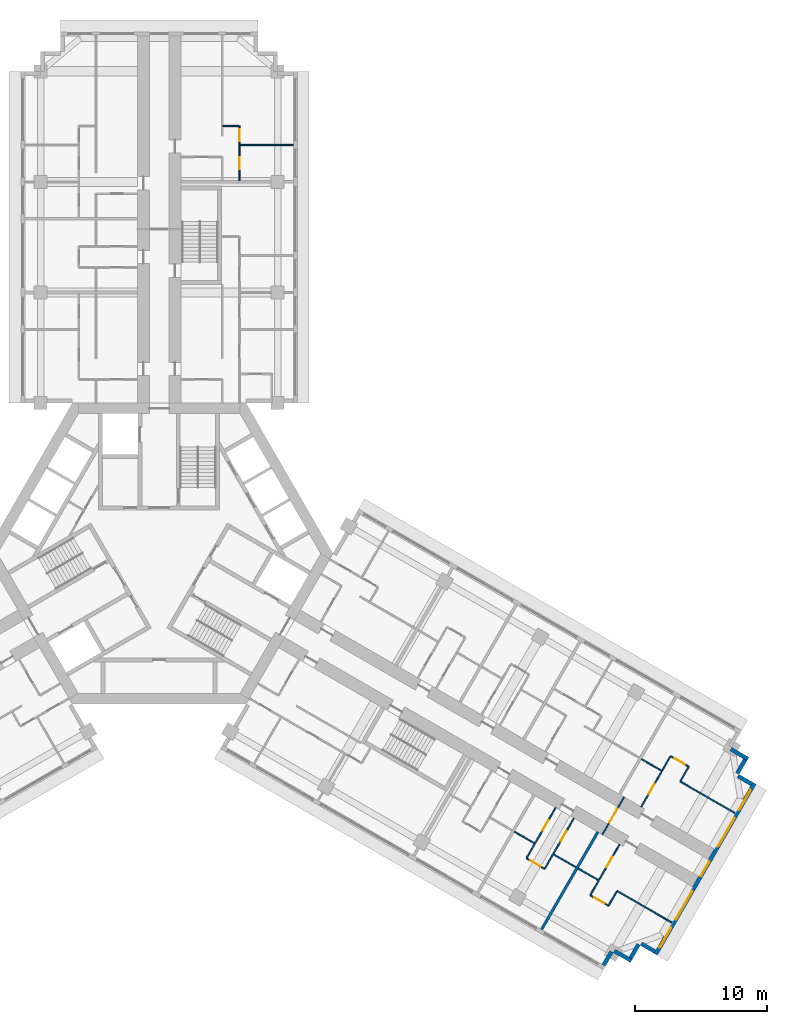
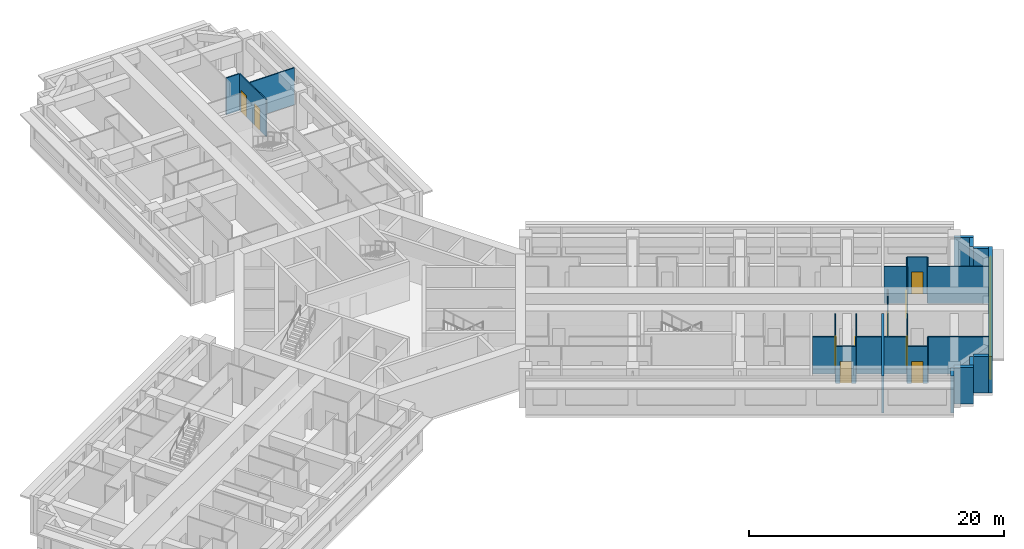
# One storey, part 10 of 13: 32 walls, 10 doors, 5 windows, 15 openings.
"""IFC4 building model written with IfcOpenShell, lengths in metres."""

from ifc_helpers import new_model, si_unit, direction, frame, frame_2d, origin, place, context, subcontext, project, spatial, rectangle, extrude, material, layer, layer_set, type_object, element, fill, save


model = new_model("IFC4")

# Units and contexts
model_context = context("Model", 3, precision=1e-05, world=origin(), true_north=direction((0.0, 1.0)))
body_context = subcontext(model_context, "Body", "Model", "MODEL_VIEW")
ifc_project = project(units=[si_unit("LENGTHUNIT", "METRE"), si_unit("AREAUNIT", "SQUARE_METRE"), si_unit("VOLUMEUNIT", "CUBIC_METRE"), si_unit("PLANEANGLEUNIT", "RADIAN"), si_unit("MASSUNIT", "GRAM", prefix="KILO")], contexts=[model_context])

# Site, building, storey
site_placement = place(None, origin())
site = spatial("IfcSite", under=ifc_project, at=site_placement, CompositionType="ELEMENT")
building_placement = place(site_placement, origin())
building = spatial("IfcBuilding", under=site, at=building_placement, Name="Impinga Residences", CompositionType="ELEMENT")
storey_placement = place(building_placement, frame((0.0, 0.0, 136.0)))
storey = spatial("IfcBuildingStorey", under=building, at=storey_placement, Name="L33", CompositionType="ELEMENT", Elevation=136.0)

# Wall, opening, door
ifc_material_1 = material(Name="Concrete blockwork", Category="masonry")
ifc_layer_1 = layer(ifc_material_1, 0.10009765625)
ifc_layer_set_1 = layer_set([ifc_layer_1], Name="CP1 core room partition, blockwork 100")
wall_type_1 = type_object("IfcWallType", Name="CP1 core room partition, blockwork 100", PredefinedType="PARTITIONING", material=ifc_layer_set_1)
wall_1_placement = place(storey_placement, frame((35.320068359375, -18.48681640625, 0.0), z_axis=(0.0, 0.0, 1.0), x_axis=(-0.499974350878, -0.866040211805, 0.0)))
wall_1 = element("IfcWall", 1, at=wall_1_placement, inside=storey, type_object=wall_type_1, Name="Core room partition, blockwork L33:E:PLB", PredefinedType="PARTITIONING", context=body_context, shape_type="SweptSolid", body=[
    extrude(rectangle(XDim=3.300048828125, YDim=0.10009765625, at=frame_2d((1.64990234375, 0.0))), origin(), (0.0, 0.0, 1.0), 3.530029296875),
])
opening_1_placement = place(wall_1_placement, frame((1.050048828125, 0.0, 0.0)))
opening_1 = element("IfcOpeningElement", 2, at=opening_1_placement, cuts=wall_1, Name="Opening D3", PredefinedType="OPENING", context=body_context, shape_type="SweptSolid", body=[
    extrude(rectangle(XDim=1.199951171875, YDim=2.10009765625, at=frame_2d((0.60009765625, 1.050048828125))), frame((0.0, 0.06005859375, 0.0), z_axis=(0.0, -1.0, 0.0), x_axis=(1.0, 0.0, 0.0)), (0.0, 0.0, 1.0), 0.1201171875),
])
ifc_material_2 = material(Name="Timber door set", Category="wood")
door_type_1 = type_object("IfcDoorType", Name="D3 room door, leaf and a half 1200x2100", OperationType="DOUBLE_SWING_LEFT", PredefinedType="DOOR", material=ifc_material_2)
door_1_placement = place(opening_1_placement, origin())
door_1 = element("IfcDoor", 3, at=door_1_placement, inside=storey, type_object=door_type_1, Name="Private lobby door E", OperationType="DOUBLE_SWING_LEFT", OverallHeight=2.10009765625, OverallWidth=1.199951171875, PredefinedType="DOOR", context=body_context, shape_type="SweptSolid", body=[
    extrude(rectangle(XDim=1.199951171875, YDim=2.10009765625, at=frame_2d((0.60009765625, 1.050048828125))), frame((0.0, 0.02490234375, 0.0), z_axis=(0.0, -1.0, 0.0), x_axis=(1.0, 0.0, 0.0)), (0.0, 0.0, 1.0), 0.050048828125),
])
fill(opening_1, door_1)

# Walls
ifc_material_3 = material(Name="Terracotta rainscreen on blockwork", Category="masonry")
ifc_layer_2 = layer(ifc_material_3, 0.300048828125)
ifc_layer_set_2 = layer_set([ifc_layer_2], Name="EW1 external wall, terracotta rainscreen on blockwork 300")
wall_type_2 = type_object("IfcWallType", Name="EW1 external wall, terracotta rainscreen on blockwork 300", PredefinedType="SOLIDWALL", material=ifc_layer_set_2)
wall_2_placement = place(storey_placement, frame((43.42333984375, -14.8515625, 0.0), z_axis=(0.0, 0.0, 1.0), x_axis=(0.866031096941, -0.499990139034, 0.0)))
element("IfcWall", 4, at=wall_2_placement, inside=storey, type_object=wall_type_2, Name="External wall EW1 L33", PredefinedType="SOLIDWALL", context=body_context, shape_type="SweptSolid", body=[
    extrude(rectangle(XDim=1.5, YDim=0.300048828125, at=frame_2d((0.75, 0.0))), origin(), (0.0, 0.0, 1.0), 3.530029296875),
])
wall_3_placement = place(storey_placement, frame((44.517578125, -15.65625, 0.0), z_axis=(0.0, 0.0, 1.0), x_axis=(-0.500033551112, -0.866006032174, 0.0)))
element("IfcWall", 5, at=wall_3_placement, inside=storey, type_object=wall_type_2, Name="External wall EW1 L33", PredefinedType="SOLIDWALL", context=body_context, shape_type="SweptSolid", body=[
    extrude(rectangle(XDim=1.2001953125, YDim=0.300048828125, at=frame_2d((0.60009765625, 0.0))), origin(), (0.0, 0.0, 1.0), 3.530029296875),
])
wall_4_placement = place(storey_placement, frame((43.976806640625, -16.903076171875, 0.0), z_axis=(0.0, 0.0, 1.0), x_axis=(0.866059708757, -0.499940577336, 0.0)))
element("IfcWall", 6, at=wall_4_placement, inside=storey, type_object=wall_type_2, Name="External wall EW1 L33", PredefinedType="SOLIDWALL", context=body_context, shape_type="SweptSolid", body=[
    extrude(rectangle(XDim=1.195068359375, YDim=0.300048828125, at=frame_2d((0.59765625, 0.0))), origin(), (0.0, 0.0, 1.0), 3.530029296875),
])

# Wall, openings, windows
wall_5_placement = place(storey_placement, frame((45.216552734375, -17.445556640625, 0.0), z_axis=(0.0, 0.0, 1.0), x_axis=(-0.499997186618, -0.866027028085, 0.0)))
wall_5 = element("IfcWall", 7, at=wall_5_placement, inside=storey, type_object=wall_type_2, Name="External wall EW1 L33", PredefinedType="SOLIDWALL", context=body_context, shape_type="SweptSolid", body=[
    extrude(rectangle(XDim=15.0, YDim=0.300048828125, at=frame_2d((7.5, 0.0))), origin(), (0.0, 0.0, 1.0), 3.530029296875),
])
opening_2_placement = place(wall_5_placement, frame((0.60009765625, 0.0, 0.89990234375)))
opening_2 = element("IfcOpeningElement", 8, at=opening_2_placement, cuts=wall_5, Name="Opening W1", PredefinedType="OPENING", context=body_context, shape_type="SweptSolid", body=[
    extrude(rectangle(XDim=1.75, YDim=2.050048828125, at=frame_2d((0.875, 1.02490234375))), frame((0.0, 0.159912109375, 0.0), z_axis=(0.0, -1.0, 0.0), x_axis=(1.0, 0.0, 0.0)), (0.0, 0.0, 1.0), 0.320068359375),
])
opening_3_placement = place(wall_5_placement, frame((3.050048828125, 0.0, 0.89990234375)))
opening_3 = element("IfcOpeningElement", 9, at=opening_3_placement, cuts=wall_5, Name="Opening W2", PredefinedType="OPENING", context=body_context, shape_type="SweptSolid", body=[
    extrude(rectangle(XDim=2.5, YDim=2.050048828125, at=frame_2d((1.25, 1.02490234375))), frame((0.0, 0.159912109375, 0.0), z_axis=(0.0, -1.0, 0.0), x_axis=(1.0, 0.0, 0.0)), (0.0, 0.0, 1.0), 0.320068359375),
])
opening_4_placement = place(wall_5_placement, frame((6.85009765625, 0.0, 0.89990234375)))
opening_4 = element("IfcOpeningElement", 10, at=opening_4_placement, cuts=wall_5, Name="Opening W17", PredefinedType="OPENING", context=body_context, shape_type="SweptSolid", body=[
    extrude(rectangle(XDim=1.300048828125, YDim=2.050048828125, at=frame_2d((0.64990234375, 1.02490234375))), frame((0.0, 0.159912109375, 0.0), z_axis=(0.0, -1.0, 0.0), x_axis=(1.0, 0.0, 0.0)), (0.0, 0.0, 1.0), 0.320068359375),
])
opening_5_placement = place(wall_5_placement, frame((9.449951171875, 0.0, 0.89990234375)))
opening_5 = element("IfcOpeningElement", 11, at=opening_5_placement, cuts=wall_5, Name="Opening W2", PredefinedType="OPENING", context=body_context, shape_type="SweptSolid", body=[
    extrude(rectangle(XDim=2.5, YDim=2.050048828125, at=frame_2d((1.25, 1.02490234375))), frame((0.0, 0.159912109375, 0.0), z_axis=(0.0, -1.0, 0.0), x_axis=(1.0, 0.0, 0.0)), (0.0, 0.0, 1.0), 0.320068359375),
])
opening_6_placement = place(wall_5_placement, frame((12.64990234375, 0.0, 0.89990234375)))
opening_6 = element("IfcOpeningElement", 12, at=opening_6_placement, cuts=wall_5, Name="Opening W1", PredefinedType="OPENING", context=body_context, shape_type="SweptSolid", body=[
    extrude(rectangle(XDim=1.75, YDim=2.050048828125, at=frame_2d((0.875, 1.02490234375))), frame((0.0, 0.159912109375, 0.0), z_axis=(0.0, -1.0, 0.0), x_axis=(1.0, 0.0, 0.0)), (0.0, 0.0, 1.0), 0.320068359375),
])
ifc_material_4 = material(Name="Aluminium window, clear double glazing", Category="aluminium")
window_type_1 = type_object("IfcWindowType", Name="W1 ribbon window 1750x2050", PartitioningType="SINGLE_PANEL", PredefinedType="WINDOW", material=ifc_material_4)
window_1_placement = place(opening_2_placement, origin())
window_1 = element("IfcWindow", 13, at=window_1_placement, inside=storey, type_object=window_type_1, Name="Window L33", OverallHeight=2.050048828125, OverallWidth=1.75, PartitioningType="SINGLE_PANEL", PredefinedType="WINDOW", context=body_context, shape_type="SweptSolid", body=[
    extrude(rectangle(XDim=1.75, YDim=2.050048828125, at=frame_2d((0.875, 1.02490234375))), frame((0.0, 0.030029296875, 0.0), z_axis=(0.0, -1.0, 0.0), x_axis=(1.0, 0.0, 0.0)), (0.0, 0.0, 1.0), 0.06005859375),
])
fill(opening_2, window_1)
window_2_placement = place(opening_6_placement, origin())
window_2 = element("IfcWindow", 14, at=window_2_placement, inside=storey, type_object=window_type_1, Name="Window L33", OverallHeight=2.050048828125, OverallWidth=1.75, PartitioningType="SINGLE_PANEL", PredefinedType="WINDOW", context=body_context, shape_type="SweptSolid", body=[
    extrude(rectangle(XDim=1.75, YDim=2.050048828125, at=frame_2d((0.875, 1.02490234375))), frame((0.0, 0.030029296875, 0.0), z_axis=(0.0, -1.0, 0.0), x_axis=(1.0, 0.0, 0.0)), (0.0, 0.0, 1.0), 0.06005859375),
])
fill(opening_6, window_2)
window_type_2 = type_object("IfcWindowType", Name="W17 ribbon window 1300x2050", PartitioningType="SINGLE_PANEL", PredefinedType="WINDOW", material=ifc_material_4)
window_3_placement = place(opening_4_placement, origin())
window_3 = element("IfcWindow", 15, at=window_3_placement, inside=storey, type_object=window_type_2, Name="Window L33", OverallHeight=2.050048828125, OverallWidth=1.300048828125, PartitioningType="SINGLE_PANEL", PredefinedType="WINDOW", context=body_context, shape_type="SweptSolid", body=[
    extrude(rectangle(XDim=1.300048828125, YDim=2.050048828125, at=frame_2d((0.64990234375, 1.02490234375))), frame((0.0, 0.030029296875, 0.0), z_axis=(0.0, -1.0, 0.0), x_axis=(1.0, 0.0, 0.0)), (0.0, 0.0, 1.0), 0.06005859375),
])
fill(opening_4, window_3)
window_type_3 = type_object("IfcWindowType", Name="W2 ribbon window 2500x2050", PartitioningType="SINGLE_PANEL", PredefinedType="WINDOW", material=ifc_material_4)
window_4_placement = place(opening_3_placement, origin())
window_4 = element("IfcWindow", 16, at=window_4_placement, inside=storey, type_object=window_type_3, Name="Window L33", OverallHeight=2.050048828125, OverallWidth=2.5, PartitioningType="SINGLE_PANEL", PredefinedType="WINDOW", context=body_context, shape_type="SweptSolid", body=[
    extrude(rectangle(XDim=2.5, YDim=2.050048828125, at=frame_2d((1.25, 1.02490234375))), frame((0.0, 0.030029296875, 0.0), z_axis=(0.0, -1.0, 0.0), x_axis=(1.0, 0.0, 0.0)), (0.0, 0.0, 1.0), 0.06005859375),
])
fill(opening_3, window_4)
window_5_placement = place(opening_5_placement, origin())
window_5 = element("IfcWindow", 17, at=window_5_placement, inside=storey, type_object=window_type_3, Name="Window L33", OverallHeight=2.050048828125, OverallWidth=2.5, PartitioningType="SINGLE_PANEL", PredefinedType="WINDOW", context=body_context, shape_type="SweptSolid", body=[
    extrude(rectangle(XDim=2.5, YDim=2.050048828125, at=frame_2d((1.25, 1.02490234375))), frame((0.0, 0.030029296875, 0.0), z_axis=(0.0, -1.0, 0.0), x_axis=(1.0, 0.0, 0.0)), (0.0, 0.0, 1.0), 0.06005859375),
])
fill(opening_5, window_5)

# Walls
wall_6_placement = place(storey_placement, frame((37.66162109375, -30.23095703125, 0.0), z_axis=(0.0, 0.0, 1.0), x_axis=(-0.866059708757, 0.499940577336, 0.0)))
element("IfcWall", 18, at=wall_6_placement, inside=storey, type_object=wall_type_2, Name="External wall EW1 L33", PredefinedType="SOLIDWALL", context=body_context, shape_type="SweptSolid", body=[
    extrude(rectangle(XDim=1.195068359375, YDim=0.300048828125, at=frame_2d((0.59765625, 0.0))), origin(), (0.0, 0.0, 1.0), 3.530029296875),
])
wall_7_placement = place(storey_placement, frame((36.41748046875, -29.68603515625, 0.0), z_axis=(0.0, 0.0, 1.0), x_axis=(-0.499969057507, -0.866043267704, 0.0)))
element("IfcWall", 19, at=wall_7_placement, inside=storey, type_object=wall_type_2, Name="External wall EW1 L33", PredefinedType="SOLIDWALL", context=body_context, shape_type="SweptSolid", body=[
    extrude(rectangle(XDim=1.19970703125, YDim=0.300048828125, at=frame_2d((0.599853515625, 0.0))), origin(), (0.0, 0.0, 1.0), 3.530029296875),
])
wall_8_placement = place(storey_placement, frame((35.87255859375, -30.93017578125, 0.0), z_axis=(0.0, 0.0, 1.0), x_axis=(-0.866031096941, 0.499990139034, 0.0)))
element("IfcWall", 20, at=wall_8_placement, inside=storey, type_object=wall_type_2, Name="External wall EW1 L33", PredefinedType="SOLIDWALL", context=body_context, shape_type="SweptSolid", body=[
    extrude(rectangle(XDim=1.5, YDim=0.300048828125, at=frame_2d((0.75, 0.0))), origin(), (0.0, 0.0, 1.0), 3.530029296875),
])
wall_9_placement = place(storey_placement, frame((34.365966796875, -30.2392578125, 0.0), z_axis=(0.0, 0.0, 1.0), x_axis=(-0.499940577336, -0.866059708757, 0.0)))
element("IfcWall", 21, at=wall_9_placement, inside=storey, type_object=wall_type_2, Name="External wall EW1 L33", PredefinedType="SOLIDWALL", context=body_context, shape_type="SweptSolid", body=[
    extrude(rectangle(XDim=1.195068359375, YDim=0.300048828125, at=frame_2d((0.59765625, 0.0))), origin(), (0.0, 0.0, 1.0), 3.530029296875),
])

# Wall, openings, doors
ifc_material_5 = material(Name="Gypsum board on steel studs", Category="steel")
ifc_layer_3 = layer(ifc_material_5, 0.10009765625)
ifc_layer_set_3 = layer_set([ifc_layer_3], Name="Gypsum board on steel studs")
wall_type_3 = type_object("IfcWallType", Name="IP1 partition 100", PredefinedType="PARTITIONING", material=ifc_layer_set_3)
wall_10_placement = place(storey_placement, frame((6.10009765625, 28.33154296875, 0.0), z_axis=(0.0, 0.0, 1.0), x_axis=(0.0, 1.0, 0.0)))
wall_10 = element("IfcWall", 22, at=wall_10_placement, inside=storey, type_object=wall_type_3, Name="Partition L33-NF2:STRIP", PredefinedType="PARTITIONING", context=body_context, shape_type="SweptSolid", body=[
    extrude(rectangle(XDim=4.14990234375, YDim=0.10009765625, at=frame_2d((2.074951171875, 0.0))), origin(), (0.0, 0.0, 1.0), 3.530029296875),
])
opening_7_placement = place(wall_10_placement, frame((0.875, 0.0, 0.0)))
opening_7 = element("IfcOpeningElement", 23, at=opening_7_placement, cuts=wall_10, Name="Opening D2", PredefinedType="OPENING", context=body_context, shape_type="SweptSolid", body=[
    extrude(rectangle(XDim=0.89990234375, YDim=2.10009765625, at=frame_2d((0.449951171875, 1.050048828125))), frame((0.0, 0.06005859375, 0.0), z_axis=(0.0, -1.0, 0.0), x_axis=(1.0, 0.0, 0.0)), (0.0, 0.0, 1.0), 0.1201171875),
])
opening_8_placement = place(wall_10_placement, frame((3.0, 0.0, 0.0)))
opening_8 = element("IfcOpeningElement", 24, at=opening_8_placement, cuts=wall_10, Name="Opening D2", PredefinedType="OPENING", context=body_context, shape_type="SweptSolid", body=[
    extrude(rectangle(XDim=0.89990234375, YDim=2.10009765625, at=frame_2d((0.449951171875, 1.050048828125))), frame((0.0, 0.06005859375, 0.0), z_axis=(0.0, -1.0, 0.0), x_axis=(1.0, 0.0, 0.0)), (0.0, 0.0, 1.0), 0.1201171875),
])
door_type_2 = type_object("IfcDoorType", Name="D2 internal door 900x2100", OperationType="SINGLE_SWING_LEFT", PredefinedType="DOOR", material=ifc_material_2)
door_2_placement = place(opening_7_placement, origin())
door_2 = element("IfcDoor", 25, at=door_2_placement, inside=storey, type_object=door_type_2, Name="Apartment L33-NF2 room door", OperationType="SINGLE_SWING_LEFT", OverallHeight=2.10009765625, OverallWidth=0.89990234375, PredefinedType="DOOR", context=body_context, shape_type="SweptSolid", body=[
    extrude(rectangle(XDim=0.89990234375, YDim=2.10009765625, at=frame_2d((0.449951171875, 1.050048828125))), frame((0.0, 0.02490234375, 0.0), z_axis=(0.0, -1.0, 0.0), x_axis=(1.0, 0.0, 0.0)), (0.0, 0.0, 1.0), 0.050048828125),
])
fill(opening_7, door_2)
door_3_placement = place(opening_8_placement, origin())
door_3 = element("IfcDoor", 26, at=door_3_placement, inside=storey, type_object=door_type_2, Name="Apartment L33-NF2 room door", OperationType="SINGLE_SWING_RIGHT", OverallHeight=2.10009765625, OverallWidth=0.89990234375, PredefinedType="DOOR", context=body_context, shape_type="SweptSolid", body=[
    extrude(rectangle(XDim=0.89990234375, YDim=2.10009765625, at=frame_2d((0.449951171875, 1.050048828125))), frame((0.0, 0.02490234375, 0.0), z_axis=(0.0, -1.0, 0.0), x_axis=(1.0, 0.0, 0.0)), (0.0, 0.0, 1.0), 0.050048828125),
])
fill(opening_8, door_3)

# Walls
wall_11_placement = place(storey_placement, frame((4.85009765625, 32.4814453125, 0.0), z_axis=(0.0, 0.0, 1.0), x_axis=(1.0, 0.0, 0.0)))
element("IfcWall", 27, at=wall_11_placement, inside=storey, type_object=wall_type_3, Name="Partition L33-NF2:SE1", PredefinedType="PARTITIONING", context=body_context, shape_type="SweptSolid", body=[
    extrude(rectangle(XDim=1.199951171875, YDim=0.10009765625, at=frame_2d((0.60009765625, 0.0))), origin(), (0.0, 0.0, 1.0), 3.530029296875),
])
wall_12_placement = place(storey_placement, frame((6.14990234375, 31.031494140625, 0.0), z_axis=(0.0, 0.0, 1.0), x_axis=(1.0, 0.0, 0.0)))
element("IfcWall", 28, at=wall_12_placement, inside=storey, type_object=wall_type_3, Name="Partition L33-NF2:OB1", PredefinedType="PARTITIONING", context=body_context, shape_type="SweptSolid", body=[
    extrude(rectangle(XDim=4.050048828125, YDim=0.10009765625, at=frame_2d((2.02490234375, 0.0))), origin(), (0.0, 0.0, 1.0), 3.530029296875),
])
wall_13_placement = place(storey_placement, frame((36.63525390625, -15.60888671875, 0.0), z_axis=(0.0, 0.0, 1.0), x_axis=(0.866047807691, -0.499961193289, 0.0)))
element("IfcWall", 29, at=wall_13_placement, inside=storey, type_object=wall_type_3, Name="Partition L33-EA5:DIV0", PredefinedType="PARTITIONING", context=body_context, shape_type="SweptSolid", body=[
    extrude(rectangle(XDim=1.800048828125, YDim=0.10009765625, at=frame_2d((0.89990234375, 0.0))), origin(), (0.0, 0.0, 1.0), 3.530029296875),
])
wall_14_placement = place(storey_placement, frame((39.579833984375, -17.308837890625, 0.0), z_axis=(0.0, 0.0, 1.0), x_axis=(0.866037363387, -0.499979284789, 0.0)))
element("IfcWall", 30, at=wall_14_placement, inside=storey, type_object=wall_type_3, Name="Partition L33-EA5:DIV1", PredefinedType="PARTITIONING", context=body_context, shape_type="SweptSolid", body=[
    extrude(rectangle(XDim=4.800048828125, YDim=0.10009765625, at=frame_2d((2.39990234375, 0.0))), origin(), (0.0, 0.0, 1.0), 3.530029296875),
])

# Wall, opening, door
wall_15_placement = place(storey_placement, frame((38.84423828125, -15.383056640625, 0.0), z_axis=(0.0, 0.0, 1.0), x_axis=(0.865989903783, -0.500061482766, 0.0)))
wall_15 = element("IfcWall", 31, at=wall_15_placement, inside=storey, type_object=wall_type_3, Name="Partition L33-EA5:STRIP", PredefinedType="PARTITIONING", context=body_context, shape_type="SweptSolid", body=[
    extrude(rectangle(XDim=1.599853515625, YDim=0.10009765625, at=frame_2d((0.7998046875, 0.0))), origin(), (0.0, 0.0, 1.0), 3.530029296875),
])
opening_9_placement = place(wall_15_placement, frame((0.35009765625, 0.0, 0.0)))
opening_9 = element("IfcOpeningElement", 32, at=opening_9_placement, cuts=wall_15, Name="Opening D2", PredefinedType="OPENING", context=body_context, shape_type="SweptSolid", body=[
    extrude(rectangle(XDim=0.89990234375, YDim=2.10009765625, at=frame_2d((0.449951171875, 1.050048828125))), frame((0.0, 0.06005859375, 0.0), z_axis=(0.0, -1.0, 0.0), x_axis=(1.0, 0.0, 0.0)), (0.0, 0.0, 1.0), 0.1201171875),
])
door_4_placement = place(opening_9_placement, origin())
door_4 = element("IfcDoor", 33, at=door_4_placement, inside=storey, type_object=door_type_2, Name="Apartment L33-EA5 room door", OperationType="SINGLE_SWING_LEFT", OverallHeight=2.10009765625, OverallWidth=0.89990234375, PredefinedType="DOOR", context=body_context, shape_type="SweptSolid", body=[
    extrude(rectangle(XDim=0.89990234375, YDim=2.10009765625, at=frame_2d((0.449951171875, 1.050048828125))), frame((0.0, 0.02490234375, 0.0), z_axis=(0.0, -1.0, 0.0), x_axis=(1.0, 0.0, 0.0)), (0.0, 0.0, 1.0), 0.050048828125),
])
fill(opening_9, door_4)

# Walls
wall_16_placement = place(storey_placement, frame((38.21923828125, -16.465576171875, 0.0), z_axis=(0.0, 0.0, 1.0), x_axis=(0.499880961361, 0.866094119867, 0.0)))
element("IfcWall", 34, at=wall_16_placement, inside=storey, type_object=wall_type_3, Name="Partition L33-EA5:SE0", PredefinedType="PARTITIONING", context=body_context, shape_type="SweptSolid", body=[
    extrude(rectangle(XDim=1.199951171875, YDim=0.10009765625, at=frame_2d((0.60009765625, 0.0))), origin(), (0.0, 0.0, 1.0), 3.530029296875),
])
wall_17_placement = place(storey_placement, frame((39.604736328125, -17.265625, 0.0), z_axis=(0.0, 0.0, 1.0), x_axis=(0.500033551112, 0.866006032174, 0.0)))
element("IfcWall", 35, at=wall_17_placement, inside=storey, type_object=wall_type_3, Name="Partition L33-EA5:SE1", PredefinedType="PARTITIONING", context=body_context, shape_type="SweptSolid", body=[
    extrude(rectangle(XDim=1.2001953125, YDim=0.10009765625, at=frame_2d((0.60009765625, 0.0))), origin(), (0.0, 0.0, 1.0), 3.530029296875),
])

# Wall, opening, door
wall_18_placement = place(storey_placement, frame((36.619140625, -19.23681640625, 0.0), z_axis=(0.0, 0.0, 1.0), x_axis=(0.500026960575, 0.86600983753, 0.0)))
wall_18 = element("IfcWall", 36, at=wall_18_placement, inside=storey, type_object=wall_type_3, Name="Partition L33-EA5:IB1", PredefinedType="PARTITIONING", context=body_context, shape_type="SweptSolid", body=[
    extrude(rectangle(XDim=3.099853515625, YDim=0.10009765625, at=frame_2d((1.5498046875, 0.0))), origin(), (0.0, 0.0, 1.0), 3.530029296875),
])
opening_10_placement = place(wall_18_placement, frame((1.10009765625, 0.0, 0.0)))
opening_10 = element("IfcOpeningElement", 37, at=opening_10_placement, cuts=wall_18, Name="Opening D2", PredefinedType="OPENING", context=body_context, shape_type="SweptSolid", body=[
    extrude(rectangle(XDim=0.89990234375, YDim=2.10009765625, at=frame_2d((0.449951171875, 1.050048828125))), frame((0.0, 0.06005859375, 0.0), z_axis=(0.0, -1.0, 0.0), x_axis=(1.0, 0.0, 0.0)), (0.0, 0.0, 1.0), 0.1201171875),
])
door_5_placement = place(opening_10_placement, origin())
door_5 = element("IfcDoor", 38, at=door_5_placement, inside=storey, type_object=door_type_2, Name="Apartment L33-EA5 bathroom door", OperationType="SINGLE_SWING_LEFT", OverallHeight=2.10009765625, OverallWidth=0.89990234375, PredefinedType="DOOR", context=body_context, shape_type="SweptSolid", body=[
    extrude(rectangle(XDim=0.89990234375, YDim=2.10009765625, at=frame_2d((0.449951171875, 1.050048828125))), frame((0.0, 0.02490234375, 0.0), z_axis=(0.0, -1.0, 0.0), x_axis=(1.0, 0.0, 0.0)), (0.0, 0.0, 1.0), 0.050048828125),
])
fill(opening_10, door_5)

# Walls
wall_19_placement = place(storey_placement, frame((26.985595703125, -21.122802734375, 0.0), z_axis=(0.0, 0.0, 1.0), x_axis=(0.866047807691, -0.499961193289, 0.0)))
element("IfcWall", 39, at=wall_19_placement, inside=storey, type_object=wall_type_3, Name="Partition L33-EF3:DIV0", PredefinedType="PARTITIONING", context=body_context, shape_type="SweptSolid", body=[
    extrude(rectangle(XDim=1.800048828125, YDim=0.10009765625, at=frame_2d((0.89990234375, 0.0))), origin(), (0.0, 0.0, 1.0), 3.530029296875),
])
wall_20_placement = place(storey_placement, frame((29.93017578125, -22.82275390625, 0.0), z_axis=(0.0, 0.0, 1.0), x_axis=(0.866010750942, -0.50002537861, 0.0)))
element("IfcWall", 40, at=wall_20_placement, inside=storey, type_object=wall_type_3, Name="Partition L33-EF3:DIV1", PredefinedType="PARTITIONING", context=body_context, shape_type="SweptSolid", body=[
    extrude(rectangle(XDim=2.0, YDim=0.10009765625, at=frame_2d((1.0, 0.0))), origin(), (0.0, 0.0, 1.0), 3.530029296875),
])

# Wall, opening, door
wall_21_placement = place(storey_placement, frame((27.89453125, -23.1484375, 0.0), z_axis=(0.0, 0.0, 1.0), x_axis=(0.865989903783, -0.500061482766, 0.0)))
wall_21 = element("IfcWall", 41, at=wall_21_placement, inside=storey, type_object=wall_type_3, Name="Partition L33-EF3:STRIP", PredefinedType="PARTITIONING", context=body_context, shape_type="SweptSolid", body=[
    extrude(rectangle(XDim=1.599853515625, YDim=0.10009765625, at=frame_2d((0.7998046875, 0.0))), origin(), (0.0, 0.0, 1.0), 3.530029296875),
])
opening_11_placement = place(wall_21_placement, frame((0.35009765625, 0.0, 0.0)))
opening_11 = element("IfcOpeningElement", 42, at=opening_11_placement, cuts=wall_21, Name="Opening D2", PredefinedType="OPENING", context=body_context, shape_type="SweptSolid", body=[
    extrude(rectangle(XDim=0.89990234375, YDim=2.10009765625, at=frame_2d((0.449951171875, 1.050048828125))), frame((0.0, 0.06005859375, 0.0), z_axis=(0.0, -1.0, 0.0), x_axis=(1.0, 0.0, 0.0)), (0.0, 0.0, 1.0), 0.1201171875),
])
door_6_placement = place(opening_11_placement, origin())
door_6 = element("IfcDoor", 43, at=door_6_placement, inside=storey, type_object=door_type_2, Name="Apartment L33-EF3 room door", OperationType="SINGLE_SWING_LEFT", OverallHeight=2.10009765625, OverallWidth=0.89990234375, PredefinedType="DOOR", context=body_context, shape_type="SweptSolid", body=[
    extrude(rectangle(XDim=0.89990234375, YDim=2.10009765625, at=frame_2d((0.449951171875, 1.050048828125))), frame((0.0, 0.02490234375, 0.0), z_axis=(0.0, -1.0, 0.0), x_axis=(1.0, 0.0, 0.0)), (0.0, 0.0, 1.0), 0.050048828125),
])
fill(opening_11, door_6)

# Walls
wall_22_placement = place(storey_placement, frame((28.51953125, -22.06591796875, 0.0), z_axis=(0.0, 0.0, 1.0), x_axis=(-0.500033551112, -0.866006032174, 0.0)))
element("IfcWall", 44, at=wall_22_placement, inside=storey, type_object=wall_type_3, Name="Partition L33-EF3:SE0", PredefinedType="PARTITIONING", context=body_context, shape_type="SweptSolid", body=[
    extrude(rectangle(XDim=1.2001953125, YDim=0.10009765625, at=frame_2d((0.60009765625, 0.0))), origin(), (0.0, 0.0, 1.0), 3.530029296875),
])
wall_23_placement = place(storey_placement, frame((29.905029296875, -22.865966796875, 0.0), z_axis=(0.0, 0.0, 1.0), x_axis=(-0.499880961361, -0.866094119867, 0.0)))
element("IfcWall", 45, at=wall_23_placement, inside=storey, type_object=wall_type_3, Name="Partition L33-EF3:SE1", PredefinedType="PARTITIONING", context=body_context, shape_type="SweptSolid", body=[
    extrude(rectangle(XDim=1.199951171875, YDim=0.10009765625, at=frame_2d((0.60009765625, 0.0))), origin(), (0.0, 0.0, 1.0), 3.530029296875),
])

# Wall, opening, door
wall_24_placement = place(storey_placement, frame((30.119384765625, -19.294677734375, 0.0), z_axis=(0.0, 0.0, 1.0), x_axis=(-0.49999285859, -0.86602952684, 0.0)))
wall_24 = element("IfcWall", 46, at=wall_24_placement, inside=storey, type_object=wall_type_3, Name="Partition L33-EF3:IB1", PredefinedType="PARTITIONING", context=body_context, shape_type="SweptSolid", body=[
    extrude(rectangle(XDim=3.10009765625, YDim=0.10009765625, at=frame_2d((1.550048828125, 0.0))), origin(), (0.0, 0.0, 1.0), 3.530029296875),
])
opening_12_placement = place(wall_24_placement, frame((1.10009765625, 0.0, 0.0)))
opening_12 = element("IfcOpeningElement", 47, at=opening_12_placement, cuts=wall_24, Name="Opening D2", PredefinedType="OPENING", context=body_context, shape_type="SweptSolid", body=[
    extrude(rectangle(XDim=0.89990234375, YDim=2.10009765625, at=frame_2d((0.449951171875, 1.050048828125))), frame((0.0, 0.06005859375, 0.0), z_axis=(0.0, -1.0, 0.0), x_axis=(1.0, 0.0, 0.0)), (0.0, 0.0, 1.0), 0.1201171875),
])
door_7_placement = place(opening_12_placement, origin())
door_7 = element("IfcDoor", 48, at=door_7_placement, inside=storey, type_object=door_type_2, Name="Apartment L33-EF3 bathroom door", OperationType="SINGLE_SWING_LEFT", OverallHeight=2.10009765625, OverallWidth=0.89990234375, PredefinedType="DOOR", context=body_context, shape_type="SweptSolid", body=[
    extrude(rectangle(XDim=0.89990234375, YDim=2.10009765625, at=frame_2d((0.449951171875, 1.050048828125))), frame((0.0, 0.02490234375, 0.0), z_axis=(0.0, -1.0, 0.0), x_axis=(1.0, 0.0, 0.0)), (0.0, 0.0, 1.0), 0.050048828125),
])
fill(opening_12, door_7)

wall_25_placement = place(storey_placement, frame((31.505126953125, -20.0947265625, 0.0), z_axis=(0.0, 0.0, 1.0), x_axis=(-0.500026960575, -0.86600983753, 0.0)))
wall_25 = element("IfcWall", 49, at=wall_25_placement, inside=storey, type_object=wall_type_3, Name="Partition L33-EF3:IB2", PredefinedType="PARTITIONING", context=body_context, shape_type="SweptSolid", body=[
    extrude(rectangle(XDim=3.099853515625, YDim=0.10009765625, at=frame_2d((1.5498046875, 0.0))), origin(), (0.0, 0.0, 1.0), 3.530029296875),
])
opening_13_placement = place(wall_25_placement, frame((1.10009765625, 0.0, 0.0)))
opening_13 = element("IfcOpeningElement", 50, at=opening_13_placement, cuts=wall_25, Name="Opening D2", PredefinedType="OPENING", context=body_context, shape_type="SweptSolid", body=[
    extrude(rectangle(XDim=0.89990234375, YDim=2.10009765625, at=frame_2d((0.449951171875, 1.050048828125))), frame((0.0, 0.06005859375, 0.0), z_axis=(0.0, -1.0, 0.0), x_axis=(1.0, 0.0, 0.0)), (0.0, 0.0, 1.0), 0.1201171875),
])
door_8_placement = place(opening_13_placement, origin())
door_8 = element("IfcDoor", 51, at=door_8_placement, inside=storey, type_object=door_type_2, Name="Apartment L33-EF3 WC door", OperationType="SINGLE_SWING_LEFT", OverallHeight=2.10009765625, OverallWidth=0.89990234375, PredefinedType="DOOR", context=body_context, shape_type="SweptSolid", body=[
    extrude(rectangle(XDim=0.89990234375, YDim=2.10009765625, at=frame_2d((0.449951171875, 1.050048828125))), frame((0.0, 0.02490234375, 0.0), z_axis=(0.0, -1.0, 0.0), x_axis=(1.0, 0.0, 0.0)), (0.0, 0.0, 1.0), 0.050048828125),
])
fill(opening_13, door_8)

# Walls
wall_26_placement = place(storey_placement, frame((31.835205078125, -23.922607421875, 0.0), z_axis=(0.0, 0.0, 1.0), x_axis=(0.865989075817, -0.500062916607, 0.0)))
element("IfcWall", 52, at=wall_26_placement, inside=storey, type_object=wall_type_3, Name="Partition L33-EF4:DIV0", PredefinedType="PARTITIONING", context=body_context, shape_type="SweptSolid", body=[
    extrude(rectangle(XDim=1.800048828125, YDim=0.10009765625, at=frame_2d((0.89990234375, 0.0))), origin(), (0.0, 0.0, 1.0), 3.530029296875),
])
wall_27_placement = place(storey_placement, frame((34.77978515625, -25.622802734375, 0.0), z_axis=(0.0, 0.0, 1.0), x_axis=(0.866037363387, -0.499979284789, 0.0)))
element("IfcWall", 53, at=wall_27_placement, inside=storey, type_object=wall_type_3, Name="Partition L33-EF4:DIV1", PredefinedType="PARTITIONING", context=body_context, shape_type="SweptSolid", body=[
    extrude(rectangle(XDim=4.800048828125, YDim=0.10009765625, at=frame_2d((2.39990234375, 0.0))), origin(), (0.0, 0.0, 1.0), 3.530029296875),
])

# Wall, opening, door
wall_28_placement = place(storey_placement, frame((32.744140625, -25.948486328125, 0.0), z_axis=(0.0, 0.0, 1.0), x_axis=(0.866028054938, -0.499995408039, 0.0)))
wall_28 = element("IfcWall", 54, at=wall_28_placement, inside=storey, type_object=wall_type_3, Name="Partition L33-EF4:STRIP", PredefinedType="PARTITIONING", context=body_context, shape_type="SweptSolid", body=[
    extrude(rectangle(XDim=1.60009765625, YDim=0.10009765625, at=frame_2d((0.800048828125, 0.0))), origin(), (0.0, 0.0, 1.0), 3.530029296875),
])
opening_14_placement = place(wall_28_placement, frame((0.35009765625, 0.0, 0.0)))
opening_14 = element("IfcOpeningElement", 55, at=opening_14_placement, cuts=wall_28, Name="Opening D2", PredefinedType="OPENING", context=body_context, shape_type="SweptSolid", body=[
    extrude(rectangle(XDim=0.89990234375, YDim=2.10009765625, at=frame_2d((0.449951171875, 1.050048828125))), frame((0.0, 0.06005859375, 0.0), z_axis=(0.0, -1.0, 0.0), x_axis=(1.0, 0.0, 0.0)), (0.0, 0.0, 1.0), 0.1201171875),
])
door_9_placement = place(opening_14_placement, origin())
door_9 = element("IfcDoor", 56, at=door_9_placement, inside=storey, type_object=door_type_2, Name="Apartment L33-EF4 room door", OperationType="SINGLE_SWING_LEFT", OverallHeight=2.10009765625, OverallWidth=0.89990234375, PredefinedType="DOOR", context=body_context, shape_type="SweptSolid", body=[
    extrude(rectangle(XDim=0.89990234375, YDim=2.10009765625, at=frame_2d((0.449951171875, 1.050048828125))), frame((0.0, 0.02490234375, 0.0), z_axis=(0.0, -1.0, 0.0), x_axis=(1.0, 0.0, 0.0)), (0.0, 0.0, 1.0), 0.050048828125),
])
fill(opening_14, door_9)

# Walls
for number, where, z_axis, x_axis, name in (
    (57, (33.369140625, -24.865966796875, 0.0), (0.0, 0.0, 1.0), (-0.500033551112, -0.866006032174, 0.0), "Partition L33-EF4:SE0"),
    (58, (34.7548828125, -25.666015625, 0.0), (0.0, 0.0, 1.0), (-0.500033551112, -0.866006032174, 0.0), "Partition L33-EF4:SE1"),
):
    element("IfcWall", number, at=place(storey_placement, frame(where, z_axis=z_axis, x_axis=x_axis)), inside=storey, type_object=wall_type_3, Name=name, PredefinedType="PARTITIONING", context=body_context, shape_type="SweptSolid", body=[
        extrude(rectangle(XDim=1.2001953125, YDim=0.10009765625, at=frame_2d((0.60009765625, 0.0))), origin(), (0.0, 0.0, 1.0), 3.530029296875),
    ])

# Wall, opening, door
wall_29_placement = place(storey_placement, frame((34.96923828125, -22.0947265625, 0.0), z_axis=(0.0, 0.0, 1.0), x_axis=(-0.500026960575, -0.86600983753, 0.0)))
wall_29 = element("IfcWall", 59, at=wall_29_placement, inside=storey, type_object=wall_type_3, Name="Partition L33-EF4:IB1", PredefinedType="PARTITIONING", context=body_context, shape_type="SweptSolid", body=[
    extrude(rectangle(XDim=3.099853515625, YDim=0.10009765625, at=frame_2d((1.5498046875, 0.0))), origin(), (0.0, 0.0, 1.0), 3.530029296875),
])
opening_15_placement = place(wall_29_placement, frame((1.10009765625, 0.0, 0.0)))
opening_15 = element("IfcOpeningElement", 60, at=opening_15_placement, cuts=wall_29, Name="Opening D2", PredefinedType="OPENING", context=body_context, shape_type="SweptSolid", body=[
    extrude(rectangle(XDim=0.89990234375, YDim=2.10009765625, at=frame_2d((0.449951171875, 1.050048828125))), frame((0.0, 0.06005859375, 0.0), z_axis=(0.0, -1.0, 0.0), x_axis=(1.0, 0.0, 0.0)), (0.0, 0.0, 1.0), 0.1201171875),
])
door_10_placement = place(opening_15_placement, origin())
door_10 = element("IfcDoor", 61, at=door_10_placement, inside=storey, type_object=door_type_2, Name="Apartment L33-EF4 bathroom door", OperationType="SINGLE_SWING_LEFT", OverallHeight=2.10009765625, OverallWidth=0.89990234375, PredefinedType="DOOR", context=body_context, shape_type="SweptSolid", body=[
    extrude(rectangle(XDim=0.89990234375, YDim=2.10009765625, at=frame_2d((0.449951171875, 1.050048828125))), frame((0.0, 0.02490234375, 0.0), z_axis=(0.0, -1.0, 0.0), x_axis=(1.0, 0.0, 0.0)), (0.0, 0.0, 1.0), 0.050048828125),
])
fill(opening_15, door_10)

# Wall
ifc_layer_4 = layer(ifc_material_1, 0.199951171875)
ifc_layer_set_4 = layer_set([ifc_layer_4], Name="PW1 party wall between apartments 200")
wall_type_4 = type_object("IfcWallType", Name="PW1 party wall between apartments 200", PredefinedType="SOLIDWALL", material=ifc_layer_set_4)
wall_30_placement = place(storey_placement, frame((33.32373046875, -21.144775390625, 0.0), z_axis=(0.0, 0.0, 1.0), x_axis=(-0.499990227581, -0.86603104582, 0.0)))
element("IfcWall", 62, at=wall_30_placement, inside=storey, type_object=wall_type_4, Name="Party wall between apartments L33-EF3:PARTY", PredefinedType="SOLIDWALL", context=body_context, shape_type="SweptSolid", body=[
    extrude(rectangle(XDim=8.550048828125, YDim=0.199951171875, at=frame_2d((4.27490234375, 0.0))), origin(), (0.0, 0.0, 1.0), 3.530029296875),
])

save(model, "model.ifc")
